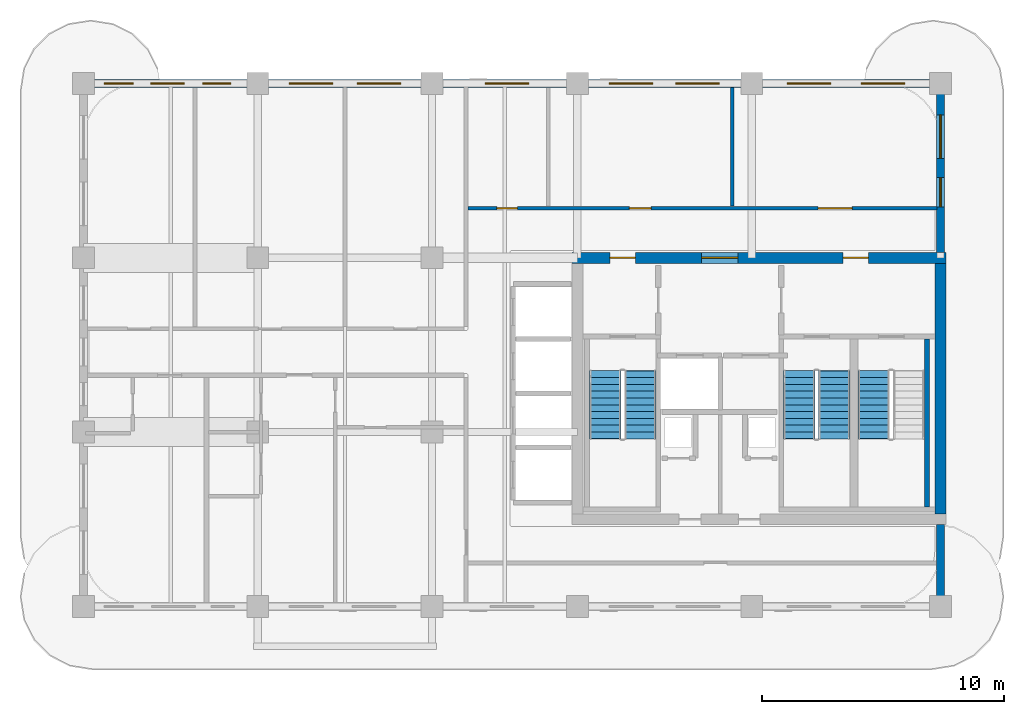
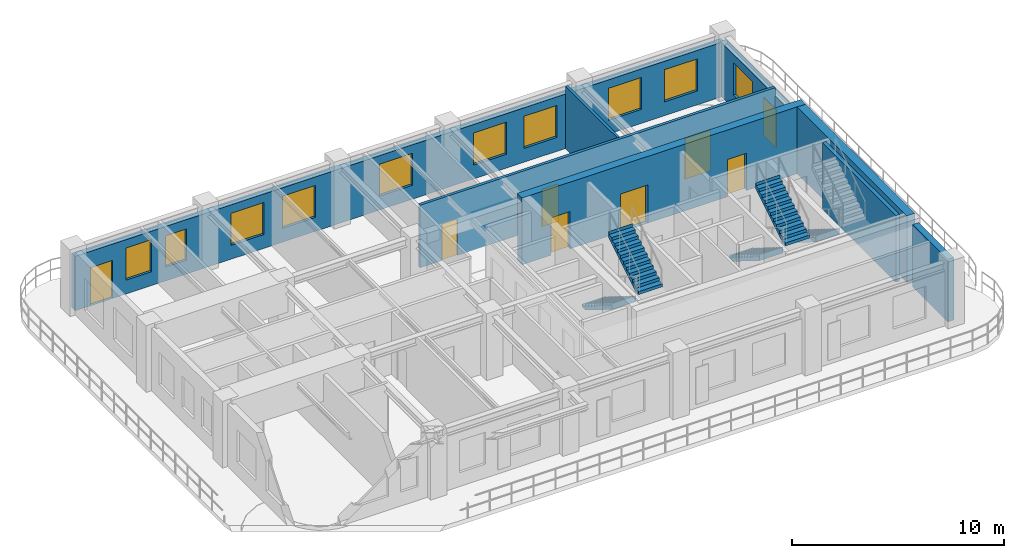
# One storey, part 5 of 8: 10 windows, 8 doors, 8 walls, 5 stair flights, 18 openings, 3 elements without a shape of their own.
"""IFC4 building model written with IfcOpenShell, lengths in metres."""

from ifc_helpers import new_model, si_unit, derived_unit, direction, frame, frame_2d, origin, place, context, subcontext, project, spatial, polyline, rectangle, outline, extrude, source, transform, mapped, material, layer, layer_set, type_object, type_shapes, element, fill, aggregate, save


model = new_model("IFC4")

# Units and contexts
model_context = context("Model", 3, precision=1e-05, world=origin(), true_north=direction((0.0, 1.0)))
body_context = subcontext(model_context, "Body", "Model", "MODEL_VIEW")
ifc_project = project(units=[si_unit("LENGTHUNIT", "METRE"), si_unit("AREAUNIT", "SQUARE_METRE"), si_unit("VOLUMEUNIT", "CUBIC_METRE"), si_unit("PLANEANGLEUNIT", "RADIAN"), si_unit("MASSUNIT", "GRAM", prefix="KILO"), si_unit("THERMODYNAMICTEMPERATUREUNIT", "KELVIN"), si_unit("POWERUNIT", "WATT"), derived_unit("THERMALTRANSMITTANCEUNIT", [(si_unit("POWERUNIT", "WATT"), 1), (si_unit("AREAUNIT", "SQUARE_METRE"), -1), (si_unit("THERMODYNAMICTEMPERATUREUNIT", "KELVIN"), -1)])], contexts=[model_context])

# Site, building, storey
site_placement = place(None, origin())
site = spatial("IfcSite", under=ifc_project, at=site_placement, CompositionType="ELEMENT")
building_placement = place(site_placement, origin())
building = spatial("IfcBuilding", under=site, at=building_placement, Name="Zahravan Archway Hotel and Residences", CompositionType="ELEMENT")
storey_placement = place(building_placement, frame((0.0, 0.0, 248.10009765625)))
storey = spatial("IfcBuildingStorey", under=building, at=storey_placement, Name="L62", CompositionType="ELEMENT", Elevation=248.10009765625)

# Wall, openings, doors
ifc_material_1 = material(Name="Concrete C50/60", Category="concrete")
ifc_layer_1 = layer(ifc_material_1, 0.449951171875, Name="Concrete C50/60", Category="concrete")
ifc_layer_set_1 = layer_set([ifc_layer_1], Name="Concrete C50/60")
wall_type_1 = type_object("IfcWallType", Name="CW-CORE-450", PredefinedType="SHEAR", material=ifc_layer_set_1)
wall_1_placement = place(storey_placement, frame((34.574951171875, 14.39990234375, 0.0), z_axis=(0.0, 0.0, 1.0), x_axis=(1.0, 0.0, 0.0)))
wall_1 = element("IfcWall", 1, at=wall_1_placement, inside=storey, type_object=wall_type_1, Name="L62 Core A Shear N Wall 450 mm", PredefinedType="SHEAR", context=body_context, shape_type="SweptSolid", body=[
    extrude(rectangle(XDim=15.449951171875, YDim=0.449951171875, at=frame_2d((7.72509765625, 0.0))), origin(), (0.0, 0.0, 1.0), 3.849853515625),
])
opening_1_placement = place(wall_1_placement, frame((5.35498046875, 0.0, 0.0)))
opening_1 = element("IfcOpeningElement", 2, at=opening_1_placement, cuts=wall_1, Name="Opening FD-L1", PredefinedType="OPENING", context=body_context, shape_type="SweptSolid", body=[
    extrude(rectangle(XDim=1.5, YDim=2.199951171875, at=frame_2d((0.75, 1.10009765625))), frame((0.0, 0.23486328125, 0.0), z_axis=(0.0, -1.0, 0.0), x_axis=(1.0, 0.0, 0.0)), (0.0, 0.0, 1.0), 0.469970703125),
])
opening_2_placement = place(wall_1_placement, frame((1.570068359375, 0.0, 0.0)))
opening_2 = element("IfcOpeningElement", 3, at=opening_2_placement, cuts=wall_1, Name="Opening FD-L2", PredefinedType="OPENING", context=body_context, shape_type="SweptSolid", body=[
    extrude(rectangle(XDim=1.050048828125, YDim=2.14990234375, at=frame_2d((0.52490234375, 1.074951171875))), frame((0.0, 0.23486328125, 0.0), z_axis=(0.0, -1.0, 0.0), x_axis=(1.0, 0.0, 0.0)), (0.0, 0.0, 1.0), 0.469970703125),
])
opening_3_placement = place(wall_1_placement, frame((11.199951171875, 0.0, 0.0)))
opening_3 = element("IfcOpeningElement", 4, at=opening_3_placement, cuts=wall_1, Name="Opening FD-L2", PredefinedType="OPENING", context=body_context, shape_type="SweptSolid", body=[
    extrude(rectangle(XDim=1.050048828125, YDim=2.14990234375, at=frame_2d((0.52490234375, 1.074951171875))), frame((0.0, 0.23486328125, 0.0), z_axis=(0.0, -1.0, 0.0), x_axis=(1.0, 0.0, 0.0)), (0.0, 0.0, 1.0), 0.469970703125),
])
ifc_material_2 = material(Name="Fire-Rated Painted Steel", Category="steel")
door_type_1 = type_object("IfcDoorType", Name="FD-LOBBY-1100", OperationType="NOTDEFINED", PredefinedType="DOOR", material=ifc_material_2)
shared_shape_1 = source(origin(), body_context, "Body", "SweptSolid", [
    extrude(rectangle(XDim=1.050048828125, YDim=2.14990234375, at=frame_2d((0.52490234375, 1.074951171875))), frame((0.0, 0.02490234375, 0.0), z_axis=(0.0, -1.0, 0.0), x_axis=(1.0, 0.0, 0.0)), (0.0, 0.0, 1.0), 0.050048828125),
])
type_shapes(door_type_1, [shared_shape_1])
door_1_placement = place(opening_2_placement, origin())
door_1 = element("IfcDoor", 5, at=door_1_placement, inside=storey, type_object=door_type_1, Name="L62 Core A West Stair Lobby Door", OperationType="SINGLE_SWING_LEFT", OverallHeight=2.14990234375, OverallWidth=1.050048828125, PredefinedType="DOOR", context=body_context, shape_type="MappedRepresentation", body=[
    mapped(shared_shape_1, transform((0.0, 0.0, 0.0), scale=1.0)),
])
fill(opening_2, door_1)
door_2_placement = place(opening_3_placement, origin())
door_2 = element("IfcDoor", 6, at=door_2_placement, inside=storey, type_object=door_type_1, Name="L62 Core A East Stair Lobby Door", OperationType="SINGLE_SWING_RIGHT", OverallHeight=2.14990234375, OverallWidth=1.050048828125, PredefinedType="DOOR", context=body_context, shape_type="MappedRepresentation", body=[
    mapped(shared_shape_1, transform((0.0, 0.0, 0.0), scale=1.0)),
])
fill(opening_3, door_2)
door_type_2 = type_object("IfcDoorType", Name="FD-LOBBY-1500", OperationType="DOUBLE_DOOR_SINGLE_SWING", PredefinedType="DOOR", material=ifc_material_2)
shared_shape_2 = source(origin(), body_context, "Body", "SweptSolid", [
    extrude(rectangle(XDim=1.5, YDim=2.199951171875, at=frame_2d((0.75, 1.10009765625))), frame((0.0, 0.02490234375, 0.0), z_axis=(0.0, -1.0, 0.0), x_axis=(1.0, 0.0, 0.0)), (0.0, 0.0, 1.0), 0.050048828125),
])
type_shapes(door_type_2, [shared_shape_2])
door_3_placement = place(opening_1_placement, origin())
door_3 = element("IfcDoor", 7, at=door_3_placement, inside=storey, type_object=door_type_2, Name="L62 Core A FSAE Lobby Main Door", OperationType="DOUBLE_DOOR_SINGLE_SWING", OverallHeight=2.199951171875, OverallWidth=1.5, PredefinedType="DOOR", context=body_context, shape_type="MappedRepresentation", body=[
    mapped(shared_shape_2, transform((0.0, 0.0, 0.0), scale=1.0)),
])
fill(opening_1, door_3)

# Walls
wall_2_placement = place(storey_placement, frame((49.800048828125, 3.824951171875, 0.0), z_axis=(0.0, 0.0, 1.0), x_axis=(0.0, 1.0, 0.0)))
element("IfcWall", 8, at=wall_2_placement, inside=storey, type_object=wall_type_1, Name="L62 Core A Shear E Wall 450 mm", PredefinedType="SHEAR", context=body_context, shape_type="SweptSolid", body=[
    extrude(rectangle(XDim=10.35009765625, YDim=0.449951171875, at=frame_2d((5.175048828125, 0.0))), origin(), (0.0, 0.0, 1.0), 3.849853515625),
])
ifc_material_3 = material(Name="Agra Buff Sandstone & Insulated Backup", Category="masonry")
ifc_layer_2 = layer(ifc_material_3, 0.320068359375, Name="Agra Buff Sandstone & Insulated Backup", Category="masonry")
ifc_layer_set_2 = layer_set([ifc_layer_2], Name="Agra Buff Sandstone & Insulated Backup")
wall_type_2 = type_object("IfcWallType", Name="EW-SAND-320", PredefinedType="SOLIDWALL", material=ifc_layer_set_2)
wall_3_placement = place(storey_placement, frame((49.800048828125, 0.050048828125, 0.0), z_axis=(0.0, 0.0, 1.0), x_axis=(0.0, 1.0, 0.0)))
element("IfcWall", 9, at=wall_3_placement, inside=storey, type_object=wall_type_2, Name="L62 Exterior Sandstone Wall WA-ES", PredefinedType="SOLIDWALL", context=body_context, shape_type="SweptSolid", body=[
    extrude(rectangle(XDim=3.329833984375, YDim=0.320068359375, at=frame_2d((1.6650390625, 0.0))), origin(), (0.0, 0.0, 1.0), 3.599853515625),
])

# Wall, openings, door, window
wall_4_placement = place(storey_placement, frame((49.800048828125, 14.6201171875, 0.0), z_axis=(0.0, 0.0, 1.0), x_axis=(0.0, 1.0, 0.0)))
wall_4 = element("IfcWall", 10, at=wall_4_placement, inside=storey, type_object=wall_type_2, Name="L62 Exterior Sandstone Wall WA-EN", PredefinedType="SOLIDWALL", context=body_context, shape_type="SweptSolid", body=[
    extrude(rectangle(XDim=6.929931640625, YDim=0.320068359375, at=frame_2d((3.46484375, 0.0))), origin(), (0.0, 0.0, 1.0), 3.135009765625),
])
opening_4_placement = place(wall_4_placement, frame((1.888916015625, 0.0, 0.0)))
opening_4 = element("IfcOpeningElement", 11, at=opening_4_placement, cuts=wall_4, Name="Opening ED-BL1", PredefinedType="OPENING", context=body_context, shape_type="SweptSolid", body=[
    extrude(rectangle(XDim=1.199951171875, YDim=2.199951171875, at=frame_2d((0.60009765625, 1.10009765625))), frame((0.0, 0.169921875, 0.0), z_axis=(0.0, -1.0, 0.0), x_axis=(1.0, 0.0, 0.0)), (0.0, 0.0, 1.0), 0.340087890625),
])
opening_5_placement = place(wall_4_placement, frame((3.884033203125, 0.0, 0.800048828125)))
opening_5 = element("IfcOpeningElement", 12, at=opening_5_placement, cuts=wall_4, Name="Opening W-02", PredefinedType="OPENING", context=body_context, shape_type="SweptSolid", body=[
    extrude(rectangle(XDim=1.800048828125, YDim=1.85009765625, at=frame_2d((0.89990234375, 0.925048828125))), frame((0.0, 0.169921875, 0.0), z_axis=(0.0, -1.0, 0.0), x_axis=(1.0, 0.0, 0.0)), (0.0, 0.0, 1.0), 0.340087890625),
])
ifc_material_4 = material(Name="Bronze-Anodized Glazed Aluminium", Category="aluminium")
door_type_3 = type_object("IfcDoorType", Name="ED-BALC-1200", OperationType="SLIDING_TO_LEFT", PredefinedType="DOOR", material=ifc_material_4)
shared_shape_3 = source(origin(), body_context, "Body", "SweptSolid", [
    extrude(rectangle(XDim=1.199951171875, YDim=2.199951171875, at=frame_2d((0.60009765625, 1.10009765625))), frame((0.0, 0.02490234375, 0.0), z_axis=(0.0, -1.0, 0.0), x_axis=(1.0, 0.0, 0.0)), (0.0, 0.0, 1.0), 0.050048828125),
])
type_shapes(door_type_3, [shared_shape_3])
door_4_placement = place(opening_4_placement, origin())
door_4 = element("IfcDoor", 13, at=door_4_placement, inside=storey, type_object=door_type_3, Name="L62 Outdoor Access Sliding Door (SLB-BAL-L62-EA)", OperationType="SLIDING_TO_LEFT", OverallHeight=2.199951171875, OverallWidth=1.199951171875, PredefinedType="DOOR", context=body_context, shape_type="MappedRepresentation", body=[
    mapped(shared_shape_3, transform((0.0, 0.0, 0.0), scale=1.0)),
])
fill(opening_4, door_4)
ifc_material_5 = material(Name="Bronze-Anodized Thermal-Break Aluminium & Low-E Glass", Category="aluminium")
window_type_1 = type_object("IfcWindowType", Name="WIN-TWR-1800", PartitioningType="DOUBLE_PANEL_VERTICAL", PredefinedType="WINDOW", material=ifc_material_5)
shared_shape_4 = source(origin(), body_context, "Body", "SweptSolid", [
    extrude(rectangle(XDim=1.800048828125, YDim=1.85009765625, at=frame_2d((0.89990234375, 0.925048828125))), frame((0.0, 0.030029296875, 0.0), z_axis=(0.0, -1.0, 0.0), x_axis=(1.0, 0.0, 0.0)), (0.0, 0.0, 1.0), 0.06005859375),
])
type_shapes(window_type_1, [shared_shape_4])
window_1_placement = place(opening_5_placement, origin())
window_1 = element("IfcWindow", 14, at=window_1_placement, inside=storey, type_object=window_type_1, Name="L62 Loggia Window 10", OverallHeight=1.85009765625, OverallWidth=1.800048828125, PartitioningType="DOUBLE_PANEL_VERTICAL", PredefinedType="WINDOW", context=body_context, shape_type="MappedRepresentation", body=[
    mapped(shared_shape_4, transform((0.0, 0.0, 0.0), scale=1.0)),
])
fill(opening_5, window_1)

# Wall, openings, door, windows
wall_5_placement = place(storey_placement, frame((14.39990234375, 21.60009765625, 0.0), z_axis=(0.0, 0.0, 1.0), x_axis=(1.0, 0.0, 0.0)))
wall_5 = element("IfcWall", 15, at=wall_5_placement, inside=storey, type_object=wall_type_2, Name="L62 Exterior Sandstone Wall WA-N", PredefinedType="SOLIDWALL", context=body_context, shape_type="SweptSolid", body=[
    extrude(rectangle(XDim=35.400146484375, YDim=0.320068359375, at=frame_2d((17.7001953125, 0.0))), origin(), (0.0, 0.0, 1.0), 3.135009765625),
])
opening_6_placement = place(wall_5_placement, frame((0.85009765625, 0.0, 0.0)))
opening_6 = element("IfcOpeningElement", 16, at=opening_6_placement, cuts=wall_5, Name="Opening ED-BL1", PredefinedType="OPENING", context=body_context, shape_type="SweptSolid", body=[
    extrude(rectangle(XDim=1.199951171875, YDim=2.199951171875, at=frame_2d((0.60009765625, 1.10009765625))), frame((0.0, 0.169921875, 0.0), z_axis=(0.0, -1.0, 0.0), x_axis=(1.0, 0.0, 0.0)), (0.0, 0.0, 1.0), 0.340087890625),
])
opening_7_placement = place(wall_5_placement, frame((2.77099609375, 0.0, 0.800048828125)))
opening_7 = element("IfcOpeningElement", 17, at=opening_7_placement, cuts=wall_5, Name="Opening W-03", PredefinedType="OPENING", context=body_context, shape_type="SweptSolid", body=[
    extrude(rectangle(XDim=1.39990234375, YDim=1.85009765625, at=frame_2d((0.699951171875, 0.925048828125))), frame((0.0, 0.169921875, 0.0), z_axis=(0.0, -1.0, 0.0), x_axis=(1.0, 0.0, 0.0)), (0.0, 0.0, 1.0), 0.340087890625),
])
opening_8_placement = place(wall_5_placement, frame((4.928955078125, 0.0, 0.800048828125)))
opening_8 = element("IfcOpeningElement", 18, at=opening_8_placement, cuts=wall_5, Name="Opening W-05", PredefinedType="OPENING", context=body_context, shape_type="SweptSolid", body=[
    extrude(rectangle(XDim=1.14990234375, YDim=1.800048828125, at=frame_2d((0.574951171875, 0.89990234375))), frame((0.0, 0.169921875, 0.0), z_axis=(0.0, -1.0, 0.0), x_axis=(1.0, 0.0, 0.0)), (0.0, 0.0, 1.0), 0.340087890625),
])
opening_9_placement = place(wall_5_placement, frame((8.49609375, 0.0, 0.800048828125)))
opening_9 = element("IfcOpeningElement", 19, at=opening_9_placement, cuts=wall_5, Name="Opening W-02", PredefinedType="OPENING", context=body_context, shape_type="SweptSolid", body=[
    extrude(rectangle(XDim=1.800048828125, YDim=1.85009765625, at=frame_2d((0.89990234375, 0.925048828125))), frame((0.0, 0.169921875, 0.0), z_axis=(0.0, -1.0, 0.0), x_axis=(1.0, 0.0, 0.0)), (0.0, 0.0, 1.0), 0.340087890625),
])
opening_10_placement = place(wall_5_placement, frame((11.303955078125, 0.0, 0.800048828125)))
opening_10 = element("IfcOpeningElement", 20, at=opening_10_placement, cuts=wall_5, Name="Opening W-02", PredefinedType="OPENING", context=body_context, shape_type="SweptSolid", body=[
    extrude(rectangle(XDim=1.800048828125, YDim=1.85009765625, at=frame_2d((0.89990234375, 0.925048828125))), frame((0.0, 0.169921875, 0.0), z_axis=(0.0, -1.0, 0.0), x_axis=(1.0, 0.0, 0.0)), (0.0, 0.0, 1.0), 0.340087890625),
])
opening_11_placement = place(wall_5_placement, frame((16.60107421875, 0.0, 0.800048828125)))
opening_11 = element("IfcOpeningElement", 21, at=opening_11_placement, cuts=wall_5, Name="Opening W-02", PredefinedType="OPENING", context=body_context, shape_type="SweptSolid", body=[
    extrude(rectangle(XDim=1.800048828125, YDim=1.85009765625, at=frame_2d((0.89990234375, 0.925048828125))), frame((0.0, 0.169921875, 0.0), z_axis=(0.0, -1.0, 0.0), x_axis=(1.0, 0.0, 0.0)), (0.0, 0.0, 1.0), 0.340087890625),
])
opening_12_placement = place(wall_5_placement, frame((21.722900390625, 0.0, 0.800048828125)))
opening_12 = element("IfcOpeningElement", 22, at=opening_12_placement, cuts=wall_5, Name="Opening W-02", PredefinedType="OPENING", context=body_context, shape_type="SweptSolid", body=[
    extrude(rectangle(XDim=1.800048828125, YDim=1.85009765625, at=frame_2d((0.89990234375, 0.925048828125))), frame((0.0, 0.169921875, 0.0), z_axis=(0.0, -1.0, 0.0), x_axis=(1.0, 0.0, 0.0)), (0.0, 0.0, 1.0), 0.340087890625),
])
opening_13_placement = place(wall_5_placement, frame((24.468994140625, 0.0, 0.800048828125)))
opening_13 = element("IfcOpeningElement", 23, at=opening_13_placement, cuts=wall_5, Name="Opening W-02", PredefinedType="OPENING", context=body_context, shape_type="SweptSolid", body=[
    extrude(rectangle(XDim=1.800048828125, YDim=1.85009765625, at=frame_2d((0.89990234375, 0.925048828125))), frame((0.0, 0.169921875, 0.0), z_axis=(0.0, -1.0, 0.0), x_axis=(1.0, 0.0, 0.0)), (0.0, 0.0, 1.0), 0.340087890625),
])
opening_14_placement = place(wall_5_placement, frame((29.074951171875, 0.0, 0.800048828125)))
opening_14 = element("IfcOpeningElement", 24, at=opening_14_placement, cuts=wall_5, Name="Opening W-02", PredefinedType="OPENING", context=body_context, shape_type="SweptSolid", body=[
    extrude(rectangle(XDim=1.800048828125, YDim=1.85009765625, at=frame_2d((0.89990234375, 0.925048828125))), frame((0.0, 0.169921875, 0.0), z_axis=(0.0, -1.0, 0.0), x_axis=(1.0, 0.0, 0.0)), (0.0, 0.0, 1.0), 0.340087890625),
])
opening_15_placement = place(wall_5_placement, frame((32.125, 0.0, 0.800048828125)))
opening_15 = element("IfcOpeningElement", 25, at=opening_15_placement, cuts=wall_5, Name="Opening W-02", PredefinedType="OPENING", context=body_context, shape_type="SweptSolid", body=[
    extrude(rectangle(XDim=1.800048828125, YDim=1.85009765625, at=frame_2d((0.89990234375, 0.925048828125))), frame((0.0, 0.169921875, 0.0), z_axis=(0.0, -1.0, 0.0), x_axis=(1.0, 0.0, 0.0)), (0.0, 0.0, 1.0), 0.340087890625),
])
door_5_placement = place(opening_6_placement, origin())
door_5 = element("IfcDoor", 26, at=door_5_placement, inside=storey, type_object=door_type_3, Name="L62 Outdoor Access Sliding Door (SLB-BAL-L62-WA)", OperationType="SLIDING_TO_LEFT", OverallHeight=2.199951171875, OverallWidth=1.199951171875, PredefinedType="DOOR", context=body_context, shape_type="MappedRepresentation", body=[
    mapped(shared_shape_3, transform((0.0, 0.0, 0.0), scale=1.0)),
])
fill(opening_6, door_5)
window_type_2 = type_object("IfcWindowType", Name="WIN-TWR-1400", PartitioningType="SINGLE_PANEL", PredefinedType="WINDOW", material=ifc_material_5)
shared_shape_5 = source(origin(), body_context, "Body", "SweptSolid", [
    extrude(rectangle(XDim=1.39990234375, YDim=1.85009765625, at=frame_2d((0.699951171875, 0.925048828125))), frame((0.0, 0.030029296875, 0.0), z_axis=(0.0, -1.0, 0.0), x_axis=(1.0, 0.0, 0.0)), (0.0, 0.0, 1.0), 0.06005859375),
])
type_shapes(window_type_2, [shared_shape_5])
window_2_placement = place(opening_7_placement, origin())
window_2 = element("IfcWindow", 27, at=window_2_placement, inside=storey, type_object=window_type_2, Name="L62 Loggia Window 11", OverallHeight=1.85009765625, OverallWidth=1.39990234375, PartitioningType="SINGLE_PANEL", PredefinedType="WINDOW", context=body_context, shape_type="MappedRepresentation", body=[
    mapped(shared_shape_5, transform((0.0, 0.0, 0.0), scale=1.0)),
])
fill(opening_7, window_2)
window_3_placement = place(opening_9_placement, origin())
window_3 = element("IfcWindow", 28, at=window_3_placement, inside=storey, type_object=window_type_1, Name="L62 Loggia Window 13", OverallHeight=1.85009765625, OverallWidth=1.800048828125, PartitioningType="DOUBLE_PANEL_VERTICAL", PredefinedType="WINDOW", context=body_context, shape_type="MappedRepresentation", body=[
    mapped(shared_shape_4, transform((0.0, 0.0, 0.0), scale=1.0)),
])
fill(opening_9, window_3)
window_4_placement = place(opening_10_placement, origin())
window_4 = element("IfcWindow", 29, at=window_4_placement, inside=storey, type_object=window_type_1, Name="L62 Loggia Window 14", OverallHeight=1.85009765625, OverallWidth=1.800048828125, PartitioningType="DOUBLE_PANEL_VERTICAL", PredefinedType="WINDOW", context=body_context, shape_type="MappedRepresentation", body=[
    mapped(shared_shape_4, transform((0.0, 0.0, 0.0), scale=1.0)),
])
fill(opening_10, window_4)
window_5_placement = place(opening_11_placement, origin())
window_5 = element("IfcWindow", 30, at=window_5_placement, inside=storey, type_object=window_type_1, Name="L62 Loggia Window 15", OverallHeight=1.85009765625, OverallWidth=1.800048828125, PartitioningType="DOUBLE_PANEL_VERTICAL", PredefinedType="WINDOW", context=body_context, shape_type="MappedRepresentation", body=[
    mapped(shared_shape_4, transform((0.0, 0.0, 0.0), scale=1.0)),
])
fill(opening_11, window_5)
window_6_placement = place(opening_12_placement, origin())
window_6 = element("IfcWindow", 31, at=window_6_placement, inside=storey, type_object=window_type_1, Name="L62 Loggia Window 16", OverallHeight=1.85009765625, OverallWidth=1.800048828125, PartitioningType="DOUBLE_PANEL_VERTICAL", PredefinedType="WINDOW", context=body_context, shape_type="MappedRepresentation", body=[
    mapped(shared_shape_4, transform((0.0, 0.0, 0.0), scale=1.0)),
])
fill(opening_12, window_6)
window_7_placement = place(opening_13_placement, origin())
window_7 = element("IfcWindow", 32, at=window_7_placement, inside=storey, type_object=window_type_1, Name="L62 Loggia Window 17", OverallHeight=1.85009765625, OverallWidth=1.800048828125, PartitioningType="DOUBLE_PANEL_VERTICAL", PredefinedType="WINDOW", context=body_context, shape_type="MappedRepresentation", body=[
    mapped(shared_shape_4, transform((0.0, 0.0, 0.0), scale=1.0)),
])
fill(opening_13, window_7)
window_8_placement = place(opening_14_placement, origin())
window_8 = element("IfcWindow", 33, at=window_8_placement, inside=storey, type_object=window_type_1, Name="L62 Loggia Window 18", OverallHeight=1.85009765625, OverallWidth=1.800048828125, PartitioningType="DOUBLE_PANEL_VERTICAL", PredefinedType="WINDOW", context=body_context, shape_type="MappedRepresentation", body=[
    mapped(shared_shape_4, transform((0.0, 0.0, 0.0), scale=1.0)),
])
fill(opening_14, window_8)
window_9_placement = place(opening_15_placement, origin())
window_9 = element("IfcWindow", 34, at=window_9_placement, inside=storey, type_object=window_type_1, Name="L62 Loggia Window 19", OverallHeight=1.85009765625, OverallWidth=1.800048828125, PartitioningType="DOUBLE_PANEL_VERTICAL", PredefinedType="WINDOW", context=body_context, shape_type="MappedRepresentation", body=[
    mapped(shared_shape_4, transform((0.0, 0.0, 0.0), scale=1.0)),
])
fill(opening_15, window_9)
window_type_3 = type_object("IfcWindowType", Name="WIN-TWR-1150", PartitioningType="SINGLE_PANEL", PredefinedType="WINDOW", material=ifc_material_5)
shared_shape_6 = source(origin(), body_context, "Body", "SweptSolid", [
    extrude(rectangle(XDim=1.14990234375, YDim=1.800048828125, at=frame_2d((0.574951171875, 0.89990234375))), frame((0.0, 0.030029296875, 0.0), z_axis=(0.0, -1.0, 0.0), x_axis=(1.0, 0.0, 0.0)), (0.0, 0.0, 1.0), 0.06005859375),
])
type_shapes(window_type_3, [shared_shape_6])
window_10_placement = place(opening_8_placement, origin())
window_10 = element("IfcWindow", 35, at=window_10_placement, inside=storey, type_object=window_type_3, Name="L62 Loggia Window 12", OverallHeight=1.800048828125, OverallWidth=1.14990234375, PartitioningType="SINGLE_PANEL", PredefinedType="WINDOW", context=body_context, shape_type="MappedRepresentation", body=[
    mapped(shared_shape_6, transform((0.0, 0.0, 0.0), scale=1.0)),
])
fill(opening_8, window_10)

# Wall, openings, doors
ifc_material_6 = material(Name="Fire-Rated Gypsum & Concrete Block", Category="concrete")
ifc_layer_3 = layer(ifc_material_6, 0.159912109375, Name="Fire-Rated Gypsum & Concrete Block", Category="concrete")
ifc_layer_set_3 = layer_set([ifc_layer_3], Name="Fire-Rated Gypsum & Concrete Block")
wall_type_3 = type_object("IfcWallType", Name="PW-CORR-160", PredefinedType="PARTITIONING", material=ifc_layer_set_3)
wall_6_placement = place(storey_placement, frame((30.2900390625, 16.449951171875, 0.0), z_axis=(0.0, 0.0, 1.0), x_axis=(1.0, 0.0, 0.0)))
wall_6 = element("IfcWall", 36, at=wall_6_placement, inside=storey, type_object=wall_type_3, Name="L62 Partition WA-FN", PredefinedType="PARTITIONING", context=body_context, shape_type="SweptSolid", body=[
    extrude(rectangle(XDim=19.369873046875, YDim=0.159912109375, at=frame_2d((9.68505859375, 0.0))), origin(), (0.0, 0.0, 1.0), 3.599853515625),
])
opening_16_placement = place(wall_6_placement, frame((1.18505859375, 0.0, 0.0)))
opening_16 = element("IfcOpeningElement", 37, at=opening_16_placement, cuts=wall_6, Name="Opening D-B1", PredefinedType="OPENING", context=body_context, shape_type="SweptSolid", body=[
    extrude(rectangle(XDim=0.85009765625, YDim=2.10009765625, at=frame_2d((0.425048828125, 1.050048828125))), frame((0.0, 0.08984375, 0.0), z_axis=(0.0, -1.0, 0.0), x_axis=(1.0, 0.0, 0.0)), (0.0, 0.0, 1.0), 0.179931640625),
])
opening_17_placement = place(wall_6_placement, frame((6.659912109375, 0.0, 0.0)))
opening_17 = element("IfcOpeningElement", 38, at=opening_17_placement, cuts=wall_6, Name="Opening D-I2", PredefinedType="OPENING", context=body_context, shape_type="SweptSolid", body=[
    extrude(rectangle(XDim=0.89990234375, YDim=2.14990234375, at=frame_2d((0.449951171875, 1.074951171875))), frame((0.0, 0.08984375, 0.0), z_axis=(0.0, -1.0, 0.0), x_axis=(1.0, 0.0, 0.0)), (0.0, 0.0, 1.0), 0.179931640625),
])
opening_18_placement = place(wall_6_placement, frame((14.4599609375, 0.0, 0.0)))
opening_18 = element("IfcOpeningElement", 39, at=opening_18_placement, cuts=wall_6, Name="Opening D-P1", PredefinedType="OPENING", context=body_context, shape_type="SweptSolid", body=[
    extrude(rectangle(XDim=1.39990234375, YDim=2.35009765625, at=frame_2d((0.699951171875, 1.175048828125))), frame((0.0, 0.08984375, 0.0), z_axis=(0.0, -1.0, 0.0), x_axis=(1.0, 0.0, 0.0)), (0.0, 0.0, 1.0), 0.179931640625),
])
ifc_material_7 = material(Name="Hardwood Veneer Timber", Category="wood")
door_type_4 = type_object("IfcDoorType", Name="ID-BATH-850", OperationType="NOTDEFINED", PredefinedType="DOOR", material=ifc_material_7)
shared_shape_7 = source(origin(), body_context, "Body", "SweptSolid", [
    extrude(rectangle(XDim=0.85009765625, YDim=2.10009765625, at=frame_2d((0.425048828125, 1.050048828125))), frame((0.0, 0.02490234375, 0.0), z_axis=(0.0, -1.0, 0.0), x_axis=(1.0, 0.0, 0.0)), (0.0, 0.0, 1.0), 0.050048828125),
])
type_shapes(door_type_4, [shared_shape_7])
door_6_placement = place(opening_16_placement, origin())
door_6 = element("IfcDoor", 40, at=door_6_placement, inside=storey, type_object=door_type_4, Name="L62 Accessible Floor Restroom Door", OperationType="SINGLE_SWING_LEFT", OverallHeight=2.10009765625, OverallWidth=0.85009765625, PredefinedType="DOOR", context=body_context, shape_type="MappedRepresentation", body=[
    mapped(shared_shape_7, transform((0.0, 0.0, 0.0), scale=1.0)),
])
fill(opening_16, door_6)
door_type_5 = type_object("IfcDoorType", Name="ID-PUBLIC-1400", OperationType="DOUBLE_DOOR_SINGLE_SWING", PredefinedType="DOOR", material=ifc_material_4)
shared_shape_8 = source(origin(), body_context, "Body", "SweptSolid", [
    extrude(rectangle(XDim=1.39990234375, YDim=2.35009765625, at=frame_2d((0.699951171875, 1.175048828125))), frame((0.0, 0.02490234375, 0.0), z_axis=(0.0, -1.0, 0.0), x_axis=(1.0, 0.0, 0.0)), (0.0, 0.0, 1.0), 0.050048828125),
])
type_shapes(door_type_5, [shared_shape_8])
door_7_placement = place(opening_18_placement, origin())
door_7 = element("IfcDoor", 41, at=door_7_placement, inside=storey, type_object=door_type_5, Name="L62 Co-Working Room Door", OperationType="DOUBLE_DOOR_SINGLE_SWING", OverallHeight=2.35009765625, OverallWidth=1.39990234375, PredefinedType="DOOR", context=body_context, shape_type="MappedRepresentation", body=[
    mapped(shared_shape_8, transform((0.0, 0.0, 0.0), scale=1.0)),
])
fill(opening_18, door_7)
door_type_6 = type_object("IfcDoorType", Name="ID-INT-900", OperationType="NOTDEFINED", PredefinedType="DOOR", material=ifc_material_7)
shared_shape_9 = source(origin(), body_context, "Body", "SweptSolid", [
    extrude(rectangle(XDim=0.89990234375, YDim=2.14990234375, at=frame_2d((0.449951171875, 1.074951171875))), frame((0.0, 0.02490234375, 0.0), z_axis=(0.0, -1.0, 0.0), x_axis=(1.0, 0.0, 0.0)), (0.0, 0.0, 1.0), 0.050048828125),
])
type_shapes(door_type_6, [shared_shape_9])
door_8_placement = place(opening_17_placement, origin())
door_8 = element("IfcDoor", 42, at=door_8_placement, inside=storey, type_object=door_type_6, Name="L62 Tea Servery Door", OperationType="SINGLE_SWING_RIGHT", OverallHeight=2.14990234375, OverallWidth=0.89990234375, PredefinedType="DOOR", context=body_context, shape_type="MappedRepresentation", body=[
    mapped(shared_shape_9, transform((0.0, 0.0, 0.0), scale=1.0)),
])
fill(opening_17, door_8)

# Walls
ifc_material_8 = material(Name="Moisture-Resistant Blockwork", Category="masonry")
ifc_layer_4 = layer(ifc_material_8, 0.139892578125, Name="Moisture-Resistant Blockwork", Category="masonry")
ifc_layer_set_4 = layer_set([ifc_layer_4], Name="Moisture-Resistant Blockwork")
wall_type_4 = type_object("IfcWallType", Name="PW-WET-140", PredefinedType="PARTITIONING", material=ifc_layer_set_4)
wall_7_placement = place(storey_placement, frame((41.199951171875, 16.5400390625, 0.0), z_axis=(0.0, 0.0, 1.0), x_axis=(0.0, 1.0, 0.0)))
element("IfcWall", 43, at=wall_7_placement, inside=storey, type_object=wall_type_4, Name="L62 Partition NE0-2", PredefinedType="PARTITIONING", context=body_context, shape_type="SweptSolid", body=[
    extrude(rectangle(XDim=4.891845703125, YDim=0.139892578125, at=frame_2d((2.44580078125, 0.0))), origin(), (0.0, 0.0, 1.0), 3.599853515625),
])
ifc_layer_5 = layer(ifc_material_1, 0.199951171875, Name="Concrete C50/60", Category="concrete")
ifc_layer_set_5 = layer_set([ifc_layer_5], Name="Concrete C50/60")
wall_type_5 = type_object("IfcWallType", Name="SW-STAIR-200", PredefinedType="SHEAR", material=ifc_layer_set_5)
wall_8_placement = place(storey_placement, frame((49.239990234375, 4.10009765625, 0.0), z_axis=(0.0, 0.0, 1.0), x_axis=(0.0, 1.0, 0.0)))
element("IfcWall", 44, at=wall_8_placement, inside=storey, type_object=wall_type_5, Name="L62 Stairwell RC Wall CA-SA3E", PredefinedType="SHEAR", context=body_context, shape_type="SweptSolid", body=[
    extrude(rectangle(XDim=6.949951171875, YDim=0.199951171875, at=frame_2d((3.47509765625, 0.0))), origin(), (0.0, 0.0, 1.0), 3.849853515625),
])

# Stair, stair flights
stair_type = type_object("IfcStairType", Name="STR-CORE-1300", PredefinedType="HALF_TURN_STAIR", material=ifc_material_1)
stair_1_placement = place(storey_placement, origin())
stair_1 = element("IfcStair", 45, at=stair_1_placement, inside=storey, type_object=stair_type, Name="L62 Core A Exit Stair 1", PredefinedType="HALF_TURN_STAIR")
ifc_layer_6 = layer(ifc_material_1, 0.199951171875, Name="Concrete C50/60", Category="concrete")
ifc_layer_set_6 = layer_set([ifc_layer_6], Name="Concrete C50/60")
stair_flight_type = type_object("IfcStairFlightType", Name="SFL-CORE-1300", PredefinedType="STRAIGHT", material=ifc_layer_set_6)
shared_shape_10 = source(origin(), body_context, "Body", "SweptSolid", [
    extrude(outline(polyline([(-0.01611328125, 0.0), (-0.01611328125, 0.175048828125), (0.280029296875, 0.175048828125), (0.280029296875, 0.35009765625), (0.56005859375, 0.35009765625), (0.56005859375, 0.52490234375), (0.840087890625, 0.52490234375), (0.840087890625, 0.699951171875), (1.1201171875, 0.699951171875), (1.1201171875, 0.875), (1.39990234375, 0.875), (1.39990234375, 1.050048828125), (1.679931640625, 1.050048828125), (1.679931640625, 1.22509765625), (1.9599609375, 1.22509765625), (1.9599609375, 1.39990234375), (2.239990234375, 1.39990234375), (2.239990234375, 1.574951171875), (2.52001953125, 1.574951171875), (2.52001953125, 1.75), (2.800048828125, 1.75), (2.800048828125, 1.925048828125), (2.816162109375, 1.925048828125), (2.816162109375, 1.5732421875), (0.28271484375, 0.0), (-0.01611328125, 0.0)])), frame((0.0, 0.64990234375, 0.0), z_axis=(0.0, -1.0, 0.0), x_axis=(1.0, 0.0, 0.0)), (0.0, 0.0, 1.0), 1.300048828125),
])
stair_flight_1_placement = place(storey_placement, frame((35.949951171875, 9.72998046875, 0.0), z_axis=(0.0, 0.0, 1.0), x_axis=(0.0, -1.0, 0.0)))
stair_flight_1 = element("IfcStairFlight", 46, at=stair_flight_1_placement, type_object=stair_flight_type, Name="ST-A1 flight 1", NumberOfRisers=11, NumberOfTreads=10, PredefinedType="STRAIGHT", RiserHeight=0.175, TreadLength=0.28, context=body_context, shape_type="MappedRepresentation", body=[
    mapped(shared_shape_10, transform((0.0, 0.0, 0.0), scale=1.0)),
])
stair_flight_2_placement = place(storey_placement, frame((37.389892578125, 6.929931640625, 1.9248046875), z_axis=(0.0, 0.0, 1.0), x_axis=(0.0, 1.0, 0.0)))
stair_flight_2 = element("IfcStairFlight", 47, at=stair_flight_2_placement, type_object=stair_flight_type, Name="ST-A1 flight 2", NumberOfRisers=11, NumberOfTreads=10, PredefinedType="STRAIGHT", RiserHeight=0.175, TreadLength=0.28, context=body_context, shape_type="MappedRepresentation", body=[
    mapped(shared_shape_10, transform((0.0, 0.0, 0.0), scale=1.0)),
])
aggregate(stair_1, [stair_flight_1, stair_flight_2])

stair_2_placement = place(storey_placement, origin())
stair_2 = element("IfcStair", 48, at=stair_2_placement, inside=storey, type_object=stair_type, Name="L62 Core A Exit Stair 2", PredefinedType="HALF_TURN_STAIR")
stair_flight_3_placement = place(storey_placement, frame((43.969970703125, 9.72998046875, 0.0), z_axis=(0.0, 0.0, 1.0), x_axis=(0.0, -1.0, 0.0)))
stair_flight_3 = element("IfcStairFlight", 49, at=stair_flight_3_placement, type_object=stair_flight_type, Name="ST-A2 flight 1", NumberOfRisers=11, NumberOfTreads=10, PredefinedType="STRAIGHT", RiserHeight=0.175, TreadLength=0.28, context=body_context, shape_type="MappedRepresentation", body=[
    mapped(shared_shape_10, transform((0.0, 0.0, 0.0), scale=1.0)),
])
stair_flight_4_placement = place(storey_placement, frame((45.409912109375, 6.929931640625, 1.9248046875), z_axis=(0.0, 0.0, 1.0), x_axis=(0.0, 1.0, 0.0)))
stair_flight_4 = element("IfcStairFlight", 50, at=stair_flight_4_placement, type_object=stair_flight_type, Name="ST-A2 flight 2", NumberOfRisers=11, NumberOfTreads=10, PredefinedType="STRAIGHT", RiserHeight=0.175, TreadLength=0.28, context=body_context, shape_type="MappedRepresentation", body=[
    mapped(shared_shape_10, transform((0.0, 0.0, 0.0), scale=1.0)),
])
aggregate(stair_2, [stair_flight_3, stair_flight_4])

# Stair, stair flight
stair_3_placement = place(storey_placement, origin())
stair_3 = element("IfcStair", 51, at=stair_3_placement, inside=storey, type_object=stair_type, Name="L62 Core A Exit Stair 3", PredefinedType="HALF_TURN_STAIR")
stair_flight_5_placement = place(storey_placement, frame((47.050048828125, 9.72998046875, 0.0), z_axis=(0.0, 0.0, 1.0), x_axis=(0.0, -1.0, 0.0)))
stair_flight_5 = element("IfcStairFlight", 52, at=stair_flight_5_placement, type_object=stair_flight_type, Name="ST-A3 flight 1", NumberOfRisers=11, NumberOfTreads=10, PredefinedType="STRAIGHT", RiserHeight=0.175, TreadLength=0.28, context=body_context, shape_type="MappedRepresentation", body=[
    mapped(shared_shape_10, transform((0.0, 0.0, 0.0), scale=1.0)),
])
aggregate(stair_3, [stair_flight_5])

save(model, "model.ifc")
